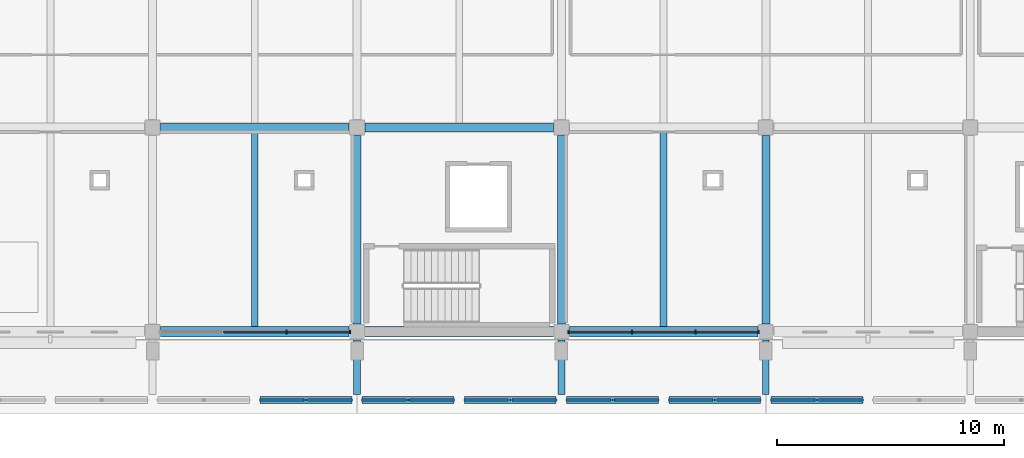
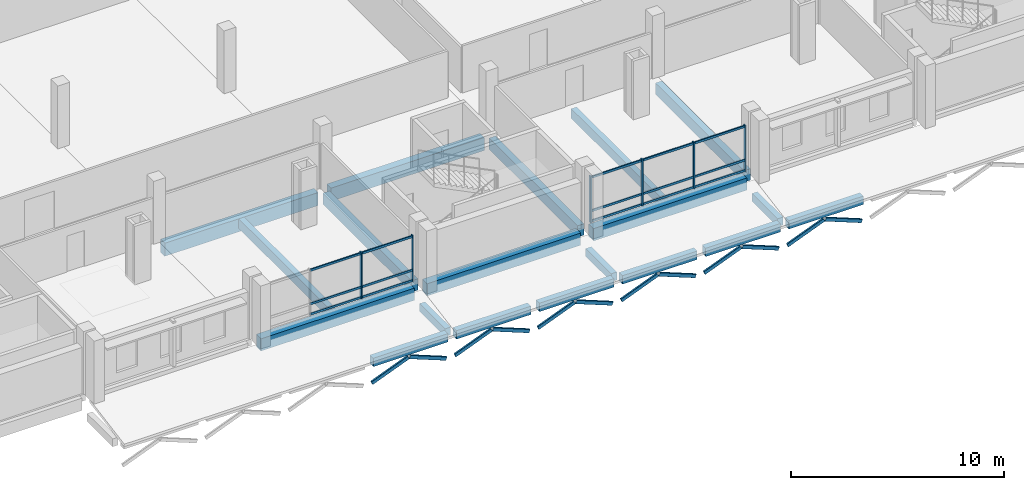
# One storey, part 32 of 132: 33 members, 19 beams, 2 elements without a shape of their own.
"""IFC4 building model written with IfcOpenShell, lengths in metres."""

from ifc_helpers import new_model, si_unit, direction, frame, origin, origin_2d, place, context, subcontext, project, spatial, rectangle, hollow_rectangle, extrude, material, material_profile, profile_set, type_object, element, aggregate, save


model = new_model("IFC4")

# Units and contexts
model_context = context("Model", 3, precision=1e-05, world=origin(), true_north=direction((0.0, 1.0)))
body_context = subcontext(model_context, "Body", "Model", "MODEL_VIEW")
ifc_project = project(units=[si_unit("LENGTHUNIT", "METRE"), si_unit("AREAUNIT", "SQUARE_METRE"), si_unit("VOLUMEUNIT", "CUBIC_METRE"), si_unit("PLANEANGLEUNIT", "RADIAN"), si_unit("MASSUNIT", "GRAM", prefix="KILO")], contexts=[model_context])

# Site, building, storey
site_placement = place(None, origin())
site = spatial("IfcSite", under=ifc_project, at=site_placement, CompositionType="ELEMENT")
building_placement = place(site_placement, origin())
building = spatial("IfcBuilding", under=site, at=building_placement, Name="Tharagai Park Tramway Depot", CompositionType="ELEMENT")
storey_placement = place(building_placement, frame((0.0, 0.0, 4.800048828125)))
storey = spatial("IfcBuildingStorey", under=building, at=storey_placement, Name="L01", CompositionType="ELEMENT", Elevation=4.800048828125)

# Beams
ifc_material_1 = material(Name="Concrete M35", Category="concrete")
ifc_material_profile_1 = material_profile(ifc_material_1, rectangle(XDim=0.35009765625, YDim=0.64990234375, at=origin_2d()), Name="RC 350x650")
ifc_profile_set_1 = profile_set([ifc_material_profile_1], Name="Concrete M35")
beam_type_1 = type_object("IfcBeamType", Name="BM-13", PredefinedType="BEAM", material=ifc_profile_set_1)
for number, where, z_axis, x_axis, name in (
    (1, (36.0, 0.35009765625, -0.574951171875), (0.0, 1.0, 0.0), (-1.0, 0.0, 0.0), "L01 Grid Beam BM-13"),
    (2, (45.0, 0.35009765625, -0.574951171875), (0.0, 1.0, 0.0), (-1.0, 0.0, 0.0), "L01 Grid Beam BM-13"),
    (3, (54.0, 0.35009765625, -0.574951171875), (0.0, 1.0, 0.0), (-1.0, 0.0, 0.0), "L01 Grid Beam BM-13"),
):
    element("IfcBeam", number, at=place(storey_placement, frame(where, z_axis=z_axis, x_axis=x_axis)), inside=storey, type_object=beam_type_1, Name=name, PredefinedType="BEAM", context=body_context, shape_type="SweptSolid", body=[
        extrude(rectangle(XDim=0.35009765625, YDim=0.64990234375, at=origin_2d()), origin(), (0.0, 0.0, 1.0), 8.2998046875),
    ])
ifc_material_profile_2 = material_profile(ifc_material_1, rectangle(XDim=0.300048828125, YDim=0.449951171875, at=origin_2d()), Name="RC 300x450")
ifc_profile_set_2 = profile_set([ifc_material_profile_2], Name="Concrete M35")
beam_type_2 = type_object("IfcBeamType", Name="BM-14", PredefinedType="BEAM", material=ifc_profile_set_2)
for number, where, z_axis, x_axis, name in (
    (4, (36.0, -2.760009765625, -1.344970703125), (0.0, 1.0, 0.0), (-1.0, 0.0, 0.0), "Gothic Cloister Transverse Tie Beam BM-14"),
    (5, (45.0, -2.760009765625, -1.344970703125), (0.0, 1.0, 0.0), (-1.0, 0.0, 0.0), "Gothic Cloister Transverse Tie Beam BM-14"),
    (6, (54.0, -2.760009765625, -1.344970703125), (0.0, 1.0, 0.0), (-1.0, 0.0, 0.0), "Gothic Cloister Transverse Tie Beam BM-14"),
):
    element("IfcBeam", number, at=place(storey_placement, frame(where, z_axis=z_axis, x_axis=x_axis)), inside=storey, type_object=beam_type_2, Name=name, PredefinedType="BEAM", context=body_context, shape_type="SweptSolid", body=[
        extrude(rectangle(XDim=0.300048828125, YDim=0.449951171875, at=origin_2d()), origin(), (0.0, 0.0, 1.0), 2.39990234375),
    ])
ifc_material_profile_3 = material_profile(ifc_material_1, rectangle(XDim=0.39990234375, YDim=0.75, at=origin_2d()), Name="RC 400x750")
ifc_profile_set_3 = profile_set([ifc_material_profile_3], Name="Concrete M35")
beam_type_3 = type_object("IfcBeamType", Name="BM-19", PredefinedType="BEAM", material=ifc_profile_set_3)
for number, where, z_axis, x_axis, name in (
    (7, (27.35009765625, 9.0, -0.625), (1.0, 0.0, 0.0), (0.0, 1.0, 0.0), "L01 Grid Beam BM-19"),
    (8, (36.35009765625, 9.0, -0.625), (1.0, 0.0, 0.0), (0.0, 1.0, 0.0), "L01 Grid Beam BM-19"),
):
    element("IfcBeam", number, at=place(storey_placement, frame(where, z_axis=z_axis, x_axis=x_axis)), inside=storey, type_object=beam_type_3, Name=name, PredefinedType="BEAM", context=body_context, shape_type="SweptSolid", body=[
        extrude(rectangle(XDim=0.39990234375, YDim=0.75, at=origin_2d()), origin(), (0.0, 0.0, 1.0), 8.2998046875),
    ])

# Curtain wall, members
ifc_material_2 = material(Name="Anodised aluminium", Category="aluminium")
curtain_wall_type = type_object("IfcCurtainWallType", Name="CW-01", PredefinedType="NOTDEFINED", material=ifc_material_2)
curtain_wall_1_placement = place(storey_placement, origin())
curtain_wall_1 = element("IfcCurtainWall", 9, at=curtain_wall_1_placement, inside=storey, type_object=curtain_wall_type, Name="L01 V4 Gothic Mullioned Curtain Wall CW-01", PredefinedType="NOTDEFINED")
ifc_material_profile_4 = material_profile(ifc_material_2, rectangle(XDim=0.06494140625, YDim=0.1201171875, at=origin_2d()), Name="ALU 65x120")
ifc_profile_set_4 = profile_set([ifc_material_profile_4], Name="Anodised aluminium")
member_type_1 = type_object("IfcMemberType", Name="CM-01", PredefinedType="USERDEFINED", material=ifc_profile_set_4)
member_1_placement = place(storey_placement, frame((30.1201171875, 0.0, 0.06005859375), z_axis=(1.0, 0.0, 0.0), x_axis=(0.0, 1.0, 0.0)))
member_1 = element("IfcMember", 10, at=member_1_placement, type_object=member_type_1, Name="L01 V4 Gothic Mullioned Curtain Wall Transom 2.1", ObjectType="TRANSOM", PredefinedType="USERDEFINED", context=body_context, shape_type="SweptSolid", body=[
    extrude(rectangle(XDim=0.06494140625, YDim=0.1201171875, at=origin_2d()), origin(), (0.0, 0.0, 1.0), 2.759765625),
])
member_2_placement = place(storey_placement, frame((30.1201171875, 0.0, 0.64990234375), z_axis=(1.0, 0.0, 0.0), x_axis=(0.0, 1.0, 0.0)))
member_2 = element("IfcMember", 11, at=member_2_placement, type_object=member_type_1, Name="L01 V4 Gothic Mullioned Curtain Wall Transom 2.2", ObjectType="TRANSOM", PredefinedType="USERDEFINED", context=body_context, shape_type="SweptSolid", body=[
    extrude(rectangle(XDim=0.06494140625, YDim=0.1201171875, at=origin_2d()), origin(), (0.0, 0.0, 1.0), 2.759765625),
])
member_3_placement = place(storey_placement, frame((30.1201171875, 0.0, 2.570068359375), z_axis=(1.0, 0.0, 0.0), x_axis=(0.0, 1.0, 0.0)))
member_3 = element("IfcMember", 12, at=member_3_placement, type_object=member_type_1, Name="L01 V4 Gothic Mullioned Curtain Wall Transom 2.3", ObjectType="TRANSOM", PredefinedType="USERDEFINED", context=body_context, shape_type="SweptSolid", body=[
    extrude(rectangle(XDim=0.06494140625, YDim=0.1201171875, at=origin_2d()), origin(), (0.0, 0.0, 1.0), 2.759765625),
])
member_4_placement = place(storey_placement, frame((32.909912109375, 0.0, 0.06005859375), z_axis=(1.0, 0.0, 0.0), x_axis=(0.0, 1.0, 0.0)))
member_4 = element("IfcMember", 13, at=member_4_placement, type_object=member_type_1, Name="L01 V4 Gothic Mullioned Curtain Wall Transom 3.1", ObjectType="TRANSOM", PredefinedType="USERDEFINED", context=body_context, shape_type="SweptSolid", body=[
    extrude(rectangle(XDim=0.06494140625, YDim=0.1201171875, at=origin_2d()), origin(), (0.0, 0.0, 1.0), 2.760009765625),
])
member_5_placement = place(storey_placement, frame((32.909912109375, 0.0, 0.64990234375), z_axis=(1.0, 0.0, 0.0), x_axis=(0.0, 1.0, 0.0)))
member_5 = element("IfcMember", 14, at=member_5_placement, type_object=member_type_1, Name="L01 V4 Gothic Mullioned Curtain Wall Transom 3.2", ObjectType="TRANSOM", PredefinedType="USERDEFINED", context=body_context, shape_type="SweptSolid", body=[
    extrude(rectangle(XDim=0.06494140625, YDim=0.1201171875, at=origin_2d()), origin(), (0.0, 0.0, 1.0), 2.760009765625),
])
member_6_placement = place(storey_placement, frame((32.909912109375, 0.0, 2.570068359375), z_axis=(1.0, 0.0, 0.0), x_axis=(0.0, 1.0, 0.0)))
member_6 = element("IfcMember", 15, at=member_6_placement, type_object=member_type_1, Name="L01 V4 Gothic Mullioned Curtain Wall Transom 3.3", ObjectType="TRANSOM", PredefinedType="USERDEFINED", context=body_context, shape_type="SweptSolid", body=[
    extrude(rectangle(XDim=0.06494140625, YDim=0.1201171875, at=origin_2d()), origin(), (0.0, 0.0, 1.0), 2.760009765625),
])

curtain_wall_2_placement = place(storey_placement, origin())
curtain_wall_2 = element("IfcCurtainWall", 16, at=curtain_wall_2_placement, inside=storey, type_object=curtain_wall_type, Name="L01 V4 Gothic Mullioned Curtain Wall CW-01", PredefinedType="NOTDEFINED")
member_7_placement = place(storey_placement, frame((45.330078125, 0.0, 0.06005859375), z_axis=(1.0, 0.0, 0.0), x_axis=(0.0, 1.0, 0.0)))
member_7 = element("IfcMember", 17, at=member_7_placement, type_object=member_type_1, Name="L01 V4 Gothic Mullioned Curtain Wall Transom 1.1", ObjectType="TRANSOM", PredefinedType="USERDEFINED", context=body_context, shape_type="SweptSolid", body=[
    extrude(rectangle(XDim=0.06494140625, YDim=0.1201171875, at=origin_2d()), origin(), (0.0, 0.0, 1.0), 2.760009765625),
])
member_8_placement = place(storey_placement, frame((45.330078125, 0.0, 0.64990234375), z_axis=(1.0, 0.0, 0.0), x_axis=(0.0, 1.0, 0.0)))
member_8 = element("IfcMember", 18, at=member_8_placement, type_object=member_type_1, Name="L01 V4 Gothic Mullioned Curtain Wall Transom 1.2", ObjectType="TRANSOM", PredefinedType="USERDEFINED", context=body_context, shape_type="SweptSolid", body=[
    extrude(rectangle(XDim=0.06494140625, YDim=0.1201171875, at=origin_2d()), origin(), (0.0, 0.0, 1.0), 2.760009765625),
])
member_9_placement = place(storey_placement, frame((45.330078125, 0.0, 2.570068359375), z_axis=(1.0, 0.0, 0.0), x_axis=(0.0, 1.0, 0.0)))
member_9 = element("IfcMember", 19, at=member_9_placement, type_object=member_type_1, Name="L01 V4 Gothic Mullioned Curtain Wall Transom 1.3", ObjectType="TRANSOM", PredefinedType="USERDEFINED", context=body_context, shape_type="SweptSolid", body=[
    extrude(rectangle(XDim=0.06494140625, YDim=0.1201171875, at=origin_2d()), origin(), (0.0, 0.0, 1.0), 2.760009765625),
])
member_10_placement = place(storey_placement, frame((48.1201171875, 0.0, 0.06005859375), z_axis=(1.0, 0.0, 0.0), x_axis=(0.0, 1.0, 0.0)))
member_10 = element("IfcMember", 20, at=member_10_placement, type_object=member_type_1, Name="L01 V4 Gothic Mullioned Curtain Wall Transom 2.1", ObjectType="TRANSOM", PredefinedType="USERDEFINED", context=body_context, shape_type="SweptSolid", body=[
    extrude(rectangle(XDim=0.06494140625, YDim=0.1201171875, at=origin_2d()), origin(), (0.0, 0.0, 1.0), 2.759765625),
])
member_11_placement = place(storey_placement, frame((48.1201171875, 0.0, 0.64990234375), z_axis=(1.0, 0.0, 0.0), x_axis=(0.0, 1.0, 0.0)))
member_11 = element("IfcMember", 21, at=member_11_placement, type_object=member_type_1, Name="L01 V4 Gothic Mullioned Curtain Wall Transom 2.2", ObjectType="TRANSOM", PredefinedType="USERDEFINED", context=body_context, shape_type="SweptSolid", body=[
    extrude(rectangle(XDim=0.06494140625, YDim=0.1201171875, at=origin_2d()), origin(), (0.0, 0.0, 1.0), 2.759765625),
])
member_12_placement = place(storey_placement, frame((48.1201171875, 0.0, 2.570068359375), z_axis=(1.0, 0.0, 0.0), x_axis=(0.0, 1.0, 0.0)))
member_12 = element("IfcMember", 22, at=member_12_placement, type_object=member_type_1, Name="L01 V4 Gothic Mullioned Curtain Wall Transom 2.3", ObjectType="TRANSOM", PredefinedType="USERDEFINED", context=body_context, shape_type="SweptSolid", body=[
    extrude(rectangle(XDim=0.06494140625, YDim=0.1201171875, at=origin_2d()), origin(), (0.0, 0.0, 1.0), 2.759765625),
])
member_13_placement = place(storey_placement, frame((50.909912109375, 0.0, 0.06005859375), z_axis=(1.0, 0.0, 0.0), x_axis=(0.0, 1.0, 0.0)))
member_13 = element("IfcMember", 23, at=member_13_placement, type_object=member_type_1, Name="L01 V4 Gothic Mullioned Curtain Wall Transom 3.1", ObjectType="TRANSOM", PredefinedType="USERDEFINED", context=body_context, shape_type="SweptSolid", body=[
    extrude(rectangle(XDim=0.06494140625, YDim=0.1201171875, at=origin_2d()), origin(), (0.0, 0.0, 1.0), 2.760009765625),
])
member_14_placement = place(storey_placement, frame((50.909912109375, 0.0, 0.64990234375), z_axis=(1.0, 0.0, 0.0), x_axis=(0.0, 1.0, 0.0)))
member_14 = element("IfcMember", 24, at=member_14_placement, type_object=member_type_1, Name="L01 V4 Gothic Mullioned Curtain Wall Transom 3.2", ObjectType="TRANSOM", PredefinedType="USERDEFINED", context=body_context, shape_type="SweptSolid", body=[
    extrude(rectangle(XDim=0.06494140625, YDim=0.1201171875, at=origin_2d()), origin(), (0.0, 0.0, 1.0), 2.760009765625),
])
member_15_placement = place(storey_placement, frame((50.909912109375, 0.0, 2.570068359375), z_axis=(1.0, 0.0, 0.0), x_axis=(0.0, 1.0, 0.0)))
member_15 = element("IfcMember", 25, at=member_15_placement, type_object=member_type_1, Name="L01 V4 Gothic Mullioned Curtain Wall Transom 3.3", ObjectType="TRANSOM", PredefinedType="USERDEFINED", context=body_context, shape_type="SweptSolid", body=[
    extrude(rectangle(XDim=0.06494140625, YDim=0.1201171875, at=origin_2d()), origin(), (0.0, 0.0, 1.0), 2.760009765625),
])

# Member
ifc_material_profile_5 = material_profile(ifc_material_2, rectangle(XDim=0.06494140625, YDim=0.14990234375, at=origin_2d()), Name="ALU 65x150")
ifc_profile_set_5 = profile_set([ifc_material_profile_5], Name="Anodised aluminium")
member_type_2 = type_object("IfcMemberType", Name="CM-03", PredefinedType="MULLION", material=ifc_profile_set_5)
member_16_placement = place(storey_placement, frame((32.89501953125, 0.0, -0.005126953125), z_axis=(0.0, 0.0, 1.0), x_axis=(1.0, 0.0, 0.0)))
member_16 = element("IfcMember", 26, at=member_16_placement, type_object=member_type_2, Name="L01 V4 Gothic Mullioned Curtain Wall Mullion 3", PredefinedType="MULLION", context=body_context, shape_type="SweptSolid", body=[
    extrude(rectangle(XDim=0.06494140625, YDim=0.14990234375, at=origin_2d()), origin(), (0.0, 0.0, 1.0), 2.66015625),
])

member_17_placement = place(storey_placement, frame((35.68505859375, 0.0, -0.005126953125), z_axis=(0.0, 0.0, 1.0), x_axis=(1.0, 0.0, 0.0)))
member_17 = element("IfcMember", 27, at=member_17_placement, type_object=member_type_2, Name="L01 V4 Gothic Mullioned Curtain Wall Mullion 4", PredefinedType="MULLION", context=body_context, shape_type="SweptSolid", body=[
    extrude(rectangle(XDim=0.06494140625, YDim=0.14990234375, at=origin_2d()), origin(), (0.0, 0.0, 1.0), 2.66015625),
])

aggregate(curtain_wall_1, [member_16, member_17, member_1, member_2, member_3, member_4, member_5, member_6])

member_18_placement = place(storey_placement, frame((45.31494140625, 0.0, -0.005126953125), z_axis=(0.0, 0.0, 1.0), x_axis=(1.0, 0.0, 0.0)))
member_18 = element("IfcMember", 28, at=member_18_placement, type_object=member_type_2, Name="L01 V4 Gothic Mullioned Curtain Wall Mullion 1", PredefinedType="MULLION", context=body_context, shape_type="SweptSolid", body=[
    extrude(rectangle(XDim=0.06494140625, YDim=0.14990234375, at=origin_2d()), origin(), (0.0, 0.0, 1.0), 2.66015625),
])

member_19_placement = place(storey_placement, frame((48.10498046875, 0.0, -0.005126953125), z_axis=(0.0, 0.0, 1.0), x_axis=(1.0, 0.0, 0.0)))
member_19 = element("IfcMember", 29, at=member_19_placement, type_object=member_type_2, Name="L01 V4 Gothic Mullioned Curtain Wall Mullion 2", PredefinedType="MULLION", context=body_context, shape_type="SweptSolid", body=[
    extrude(rectangle(XDim=0.06494140625, YDim=0.14990234375, at=origin_2d()), origin(), (0.0, 0.0, 1.0), 2.66015625),
])

member_20_placement = place(storey_placement, frame((50.89501953125, 0.0, -0.005126953125), z_axis=(0.0, 0.0, 1.0), x_axis=(1.0, 0.0, 0.0)))
member_20 = element("IfcMember", 30, at=member_20_placement, type_object=member_type_2, Name="L01 V4 Gothic Mullioned Curtain Wall Mullion 3", PredefinedType="MULLION", context=body_context, shape_type="SweptSolid", body=[
    extrude(rectangle(XDim=0.06494140625, YDim=0.14990234375, at=origin_2d()), origin(), (0.0, 0.0, 1.0), 2.66015625),
])

member_21_placement = place(storey_placement, frame((53.68505859375, 0.0, -0.005126953125), z_axis=(0.0, 0.0, 1.0), x_axis=(1.0, 0.0, 0.0)))
member_21 = element("IfcMember", 31, at=member_21_placement, type_object=member_type_2, Name="L01 V4 Gothic Mullioned Curtain Wall Mullion 4", PredefinedType="MULLION", context=body_context, shape_type="SweptSolid", body=[
    extrude(rectangle(XDim=0.06494140625, YDim=0.14990234375, at=origin_2d()), origin(), (0.0, 0.0, 1.0), 2.66015625),
])

aggregate(curtain_wall_2, [member_18, member_19, member_20, member_21, member_7, member_8, member_9, member_10, member_11, member_12, member_13, member_14, member_15])

# Beams
ifc_material_profile_6 = material_profile(ifc_material_1, rectangle(XDim=0.300048828125, YDim=0.550048828125, at=origin_2d()), Name="RC 300x550")
ifc_profile_set_6 = profile_set([ifc_material_profile_6], Name="Concrete M35")
beam_type_4 = type_object("IfcBeamType", Name="JT-06", PredefinedType="JOIST", material=ifc_profile_set_6)
for number, where, z_axis, x_axis, name in (
    (32, (31.5, 0.22509765625, -0.525146484375), (0.0, 1.0, 0.0), (-1.0, 0.0, 0.0), "L01 Secondary Joist JT-06"),
    (33, (49.5, 0.22509765625, -0.525146484375), (0.0, 1.0, 0.0), (-1.0, 0.0, 0.0), "L01 Secondary Joist JT-06"),
):
    element("IfcBeam", number, at=place(storey_placement, frame(where, z_axis=z_axis, x_axis=x_axis)), inside=storey, type_object=beam_type_4, Name=name, PredefinedType="JOIST", context=body_context, shape_type="SweptSolid", body=[
        extrude(rectangle(XDim=0.300048828125, YDim=0.550048828125, at=origin_2d()), origin(), (0.0, 0.0, 1.0), 8.574951171875),
    ])

# Members
ifc_material_3 = material(Name="Steel E350", Category="steel")
ifc_material_profile_7 = material_profile(ifc_material_3, hollow_rectangle(XDim=0.10009765625, YDim=0.199951171875, WallThickness=0.006103515625, InnerFilletRadius=0.006103515625, OuterFilletRadius=0.011962890625, at=origin_2d()), Name="RHS 200x100x6")
ifc_profile_set_7 = profile_set([ifc_material_profile_7], Name="Steel E350")
member_type_3 = type_object("IfcMemberType", Name="RF-04", PredefinedType="RAFTER", material=ifc_profile_set_7)
for number, where, z_axis, x_axis, name in (
    (34, (31.739990234375, -3.0, -2.6201171875), (0.929766353739, 0.0, 0.368150142545), (0.0, 1.0, 0.0), "Pointed Gothic Arcade Arch Rib Left RF-04"),
    (35, (35.760009765625, -3.0, -2.6201171875), (-0.929766353739, 0.0, 0.368150142545), (0.0, -1.0, 0.0), "Pointed Gothic Arcade Arch Rib Right RF-04"),
    (36, (36.239990234375, -3.0, -2.6201171875), (0.929766353739, 0.0, 0.368150142545), (0.0, 1.0, 0.0), "Pointed Gothic Arcade Arch Rib Left RF-04"),
    (37, (40.260009765625, -3.0, -2.6201171875), (-0.929766353739, 0.0, 0.368150142545), (0.0, -1.0, 0.0), "Pointed Gothic Arcade Arch Rib Right RF-04"),
    (38, (40.739990234375, -3.0, -2.6201171875), (0.929766353739, 0.0, 0.368150142545), (0.0, 1.0, 0.0), "Pointed Gothic Arcade Arch Rib Left RF-04"),
    (39, (44.760009765625, -3.0, -2.6201171875), (-0.929766353739, 0.0, 0.368150142545), (0.0, -1.0, 0.0), "Pointed Gothic Arcade Arch Rib Right RF-04"),
    (40, (45.239990234375, -3.0, -2.6201171875), (0.929766353739, 0.0, 0.368150142545), (0.0, 1.0, 0.0), "Pointed Gothic Arcade Arch Rib Left RF-04"),
    (41, (49.260009765625, -3.0, -2.6201171875), (-0.929766353739, 0.0, 0.368150142545), (0.0, -1.0, 0.0), "Pointed Gothic Arcade Arch Rib Right RF-04"),
    (42, (49.739990234375, -3.0, -2.6201171875), (0.929766353739, 0.0, 0.368150142545), (0.0, 1.0, 0.0), "Pointed Gothic Arcade Arch Rib Left RF-04"),
    (43, (53.760009765625, -3.0, -2.6201171875), (-0.929766353739, 0.0, 0.368150142545), (0.0, -1.0, 0.0), "Pointed Gothic Arcade Arch Rib Right RF-04"),
    (44, (54.239990234375, -3.0, -2.6201171875), (0.929766353739, 0.0, 0.368150142545), (0.0, 1.0, 0.0), "Pointed Gothic Arcade Arch Rib Left RF-04"),
    (45, (58.260009765625, -3.0, -2.6201171875), (-0.929766353739, 0.0, 0.368150142545), (0.0, -1.0, 0.0), "Pointed Gothic Arcade Arch Rib Right RF-04"),
):
    element("IfcMember", number, at=place(storey_placement, frame(where, z_axis=z_axis, x_axis=x_axis)), inside=storey, type_object=member_type_3, Name=name, PredefinedType="RAFTER", context=body_context, shape_type="SweptSolid", body=[
        extrude(hollow_rectangle(XDim=0.10009765625, YDim=0.199951171875, WallThickness=0.006103515625, InnerFilletRadius=0.006103515625, OuterFilletRadius=0.011962890625, at=origin_2d()), origin(), (0.0, 0.0, 1.0), 2.118896484375),
    ])

# Beams
ifc_material_profile_8 = material_profile(ifc_material_1, rectangle(XDim=0.449951171875, YDim=0.699951171875, at=origin_2d()), Name="RC 450x700")
ifc_profile_set_8 = profile_set([ifc_material_profile_8], Name="Concrete M35")
beam_type_5 = type_object("IfcBeamType", Name="SP-01", PredefinedType="SPANDREL", material=ifc_profile_set_8)
for number, where, z_axis, x_axis, name in (
    (46, (27.35009765625, 0.0, -0.60009765625), (1.0, 0.0, 0.0), (0.0, 1.0, 0.0), "L01 Grid Beam SP-01"),
    (47, (36.35009765625, 0.0, -0.60009765625), (1.0, 0.0, 0.0), (0.0, 1.0, 0.0), "L01 Grid Beam SP-01"),
    (48, (45.35009765625, 0.0, -0.60009765625), (1.0, 0.0, 0.0), (0.0, 1.0, 0.0), "L01 Grid Beam SP-01"),
):
    element("IfcBeam", number, at=place(storey_placement, frame(where, z_axis=z_axis, x_axis=x_axis)), inside=storey, type_object=beam_type_5, Name=name, PredefinedType="SPANDREL", context=body_context, shape_type="SweptSolid", body=[
        extrude(rectangle(XDim=0.449951171875, YDim=0.699951171875, at=origin_2d()), origin(), (0.0, 0.0, 1.0), 8.2998046875),
    ])
ifc_material_profile_9 = material_profile(ifc_material_1, rectangle(XDim=0.320068359375, YDim=0.47998046875, at=origin_2d()), Name="RC 320x480")
ifc_profile_set_9 = profile_set([ifc_material_profile_9], Name="Concrete M35")
beam_type_6 = type_object("IfcBeamType", Name="SP-05", PredefinedType="SPANDREL", material=ifc_profile_set_9)
for number, where, z_axis, x_axis, name in (
    (49, (31.72998046875, -3.0, -1.360107421875), (1.0, 0.0, 0.0), (0.0, 1.0, 0.0), "Gothic Cloister Arcade Spandrel Lintel SP-05"),
    (50, (36.22998046875, -3.0, -1.360107421875), (1.0, 0.0, 0.0), (0.0, 1.0, 0.0), "Gothic Cloister Arcade Spandrel Lintel SP-05"),
    (51, (40.72998046875, -3.0, -1.360107421875), (1.0, 0.0, 0.0), (0.0, 1.0, 0.0), "Gothic Cloister Arcade Spandrel Lintel SP-05"),
    (52, (45.22998046875, -3.0, -1.360107421875), (1.0, 0.0, 0.0), (0.0, 1.0, 0.0), "Gothic Cloister Arcade Spandrel Lintel SP-05"),
    (53, (49.72998046875, -3.0, -1.360107421875), (1.0, 0.0, 0.0), (0.0, 1.0, 0.0), "Gothic Cloister Arcade Spandrel Lintel SP-05"),
    (54, (54.22998046875, -3.0, -1.360107421875), (1.0, 0.0, 0.0), (0.0, 1.0, 0.0), "Gothic Cloister Arcade Spandrel Lintel SP-05"),
):
    element("IfcBeam", number, at=place(storey_placement, frame(where, z_axis=z_axis, x_axis=x_axis)), inside=storey, type_object=beam_type_6, Name=name, PredefinedType="SPANDREL", context=body_context, shape_type="SweptSolid", body=[
        extrude(rectangle(XDim=0.320068359375, YDim=0.47998046875, at=origin_2d()), origin(), (0.0, 0.0, 1.0), 4.0400390625),
    ])

save(model, "model.ifc")
